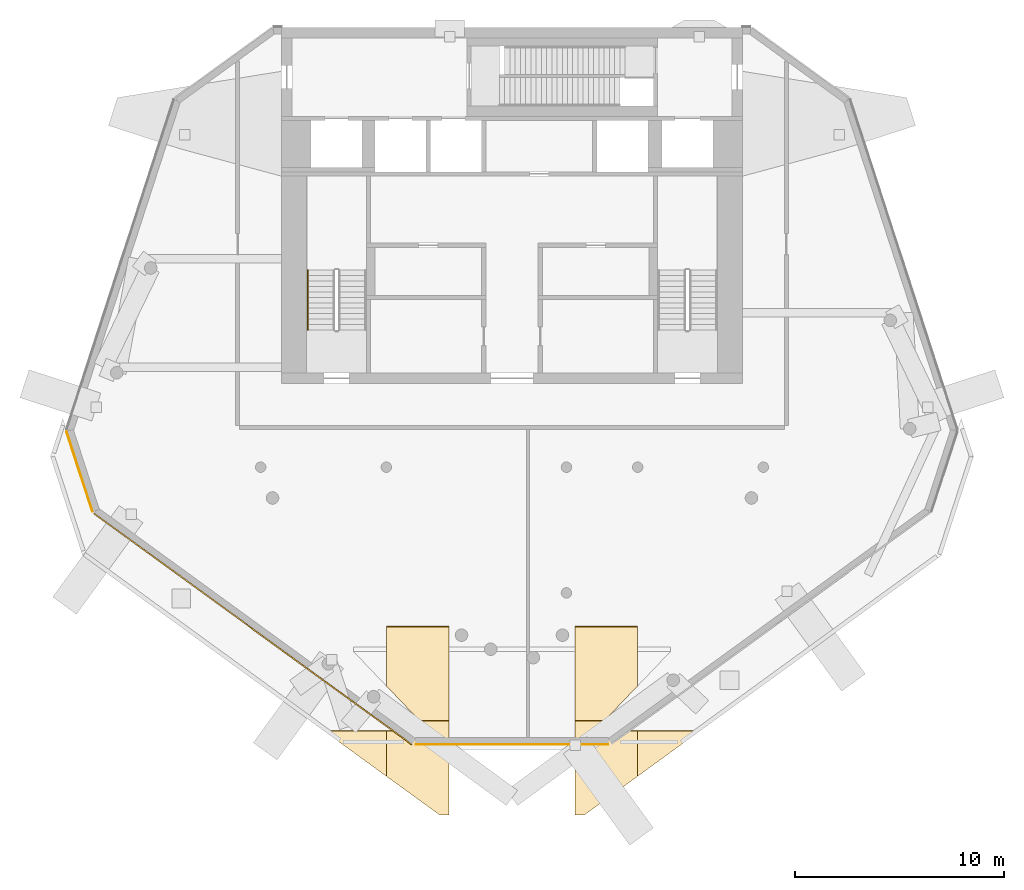
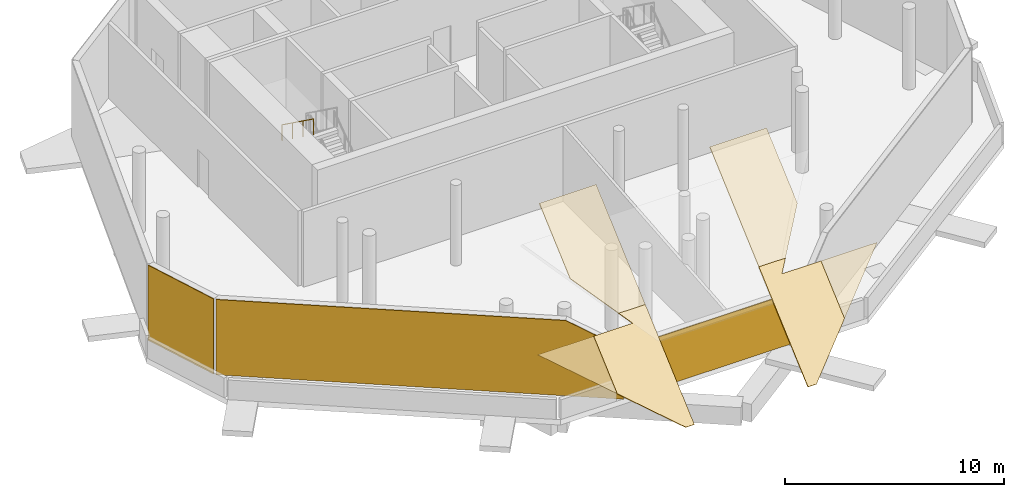
# One storey, part 5 of 8: 9 coverings, 1 railing.
"""IFC4 building model written with IfcOpenShell, lengths in metres."""

from ifc_helpers import new_model, si_unit, direction, frame, origin, origin_2d, place, context, subcontext, project, spatial, polyline, circle, outline, extrude, material, layer, layer_set, type_object, element, save


model = new_model("IFC4")

# Units and contexts
model_context = context("Model", 3, precision=1e-05, world=origin(), true_north=direction((0.0, 1.0)))
body_context = subcontext(model_context, "Body", "Model", "MODEL_VIEW")
ifc_project = project(units=[si_unit("LENGTHUNIT", "METRE"), si_unit("AREAUNIT", "SQUARE_METRE"), si_unit("VOLUMEUNIT", "CUBIC_METRE"), si_unit("PLANEANGLEUNIT", "RADIAN"), si_unit("MASSUNIT", "GRAM", prefix="KILO")], contexts=[model_context])

# Site, building, storey
site_placement = place(None, origin())
site = spatial("IfcSite", under=ifc_project, at=site_placement, CompositionType="ELEMENT")
building_placement = place(site_placement, origin())
building = spatial("IfcBuilding", under=site, at=building_placement, Name="White Candle Pilgrim Tower", CompositionType="ELEMENT")
storey_placement = place(building_placement, frame((0.0, 0.0, 328.699951171875)))
storey = spatial("IfcBuildingStorey", under=building, at=storey_placement, Name="L77", CompositionType="ELEMENT", Elevation=328.699951171875)

# Coverings
ifc_material_1 = material(Name="Zinc standing seam")
ifc_layer_1 = layer(ifc_material_1, 0.050048828125)
ifc_layer_set_1 = layer_set([ifc_layer_1], Name="Roof covering CL2 zinc standing seam 50")
covering_type_1 = type_object("IfcCoveringType", Name="Roof covering CL2 zinc standing seam 50", PredefinedType="ROOFING", material=ifc_layer_set_1)
covering_1_placement = place(storey_placement, frame((64.0, 52.24609375, 1.64208984375), z_axis=(0.0, -0.662894026828, 0.748713235622), x_axis=(-0.717650239078, 0.521406678803, 0.461641862975)))
element("IfcCovering", 1, at=covering_1_placement, inside=storey, type_object=covering_type_1, Name="Roof covering 1", PredefinedType="ROOFING", context=body_context, shape_type="SweptSolid", body=[
    extrude(outline(polyline([(0.0, 0.0), (4.13404289924369, 2.220446049250313e-16), (2.004920412604753, -2.0660883655831848), (0.0, 0.0)])), origin(), (0.0, 0.0, -1.0), 0.050048828125),
])
covering_2_placement = place(storey_placement, frame((67.0, 50.3916015625, 0.0), z_axis=(-2.949764e-05, -0.662920442561, 0.748689846308), x_axis=(-0.999999999565, 1.9554588e-05, -2.2084583e-05)))
element("IfcCovering", 2, at=covering_2_placement, inside=storey, type_object=covering_type_1, Name="Roof covering 2", PredefinedType="ROOFING", context=body_context, shape_type="SweptSolid", body=[
    extrude(outline(polyline([(0.0, 0.0), (0.4475097654303085, 1.5162220628096997e-21), (2.9999999976561904, -2.477014397859975), (3.0000000006524683, -5.355977229325423), (0.9409179702982824, -5.355977229325423), (1.4011230420758953, -5.99986434158091), (-4.189538791056621e-09, -5.99986434158091), (0.0, 0.0)])), origin(), (0.0, 0.0, -1.0), 0.050048828125),
])
covering_3_placement = place(storey_placement, frame((76.0, 52.24609375, 1.64208984375), z_axis=(2.949764e-05, -0.662920442561, 0.748689846308), x_axis=(-0.717637258509, -0.521414438216, -0.461653277708)))
element("IfcCovering", 3, at=covering_3_placement, inside=storey, type_object=covering_type_1, Name="Roof covering 3", PredefinedType="ROOFING", context=body_context, shape_type="SweptSolid", body=[
    extrude(outline(polyline([(0.0, 0.0), (3.556797254949198, 0.0), (3.8779469363084957, -0.3116534490717402), (-0.30046113233501437, -4.617379651382906), (-1.30595923452869, -3.641613615254856), (-0.5272849386202914, -3.5000309104138054), (-2.0049589225724533, -2.066050992535435), (0.0, 0.0)])), origin(), (0.0, 0.0, -1.0), 0.050048828125),
])
covering_4_placement = place(storey_placement, frame((76.0, 54.401611328125, 3.550537109375), z_axis=(0.0, -0.662894026828, 0.748713235622), x_axis=(1.0, 0.0, 0.0)))
element("IfcCovering", 4, at=covering_4_placement, inside=storey, type_object=covering_type_1, Name="Roof covering 4", PredefinedType="ROOFING", context=body_context, shape_type="SweptSolid", body=[
    extrude(outline(polyline([(0.0, 0.0), (2.966796875, 0.0), (0.0, -2.8789628332573876), (0.0, 0.0)])), origin(), (0.0, 0.0, -1.0), 0.050048828125),
])
covering_5_placement = place(storey_placement, frame((67.0, 54.883544921875, 3.9775390625), z_axis=(-2.7532924e-05, -0.662925372538, 0.748685481151), x_axis=(-0.999999999621, 1.8252274e-05, -2.0613501e-05)))
element("IfcCovering", 5, at=covering_5_placement, inside=storey, type_object=covering_type_1, Name="Roof covering 6", PredefinedType="ROOFING", context=body_context, shape_type="SweptSolid", body=[
    extrude(outline(polyline([(0.0, 0.0), (1.401123046343931, 0.0), (1.4182128927219115, -0.0240461120257628), (1.8955078164620534, -0.6918174906504492), (2.372802735169602, -1.3597507162899767), (2.850097658909744, -2.027522094914663), (2.999999999311144, -2.2373053534724923), (3.000000000496302, -6.000047126927434), (1.6333947139182507e-09, -6.000047126927434), (-1.005684419158007e-09, -4.162601479287216), (0.0, 0.0)])), origin(), (0.0, 0.0, -1.0), 0.050048828125),
])
covering_6_placement = place(storey_placement, frame((73.0, 59.375732421875, 7.955078125), z_axis=(2.7532924e-05, -0.662925372538, 0.748685481151), x_axis=(0.999999999621, 1.8252274e-05, -2.0613501e-05)))
element("IfcCovering", 6, at=covering_6_placement, inside=storey, type_object=covering_type_1, Name="Roof covering 9", PredefinedType="ROOFING", context=body_context, shape_type="SweptSolid", body=[
    extrude(outline(polyline([(0.0, 0.0), (2.9999999988629074, 0.0), (2.9999999976777496, -3.762741773454943), (2.8500976572763497, -3.972525032012772), (2.3728027335362074, -4.640296410637458), (1.8955078148286586, -5.308229636276986), (1.4182128910885168, -5.976001014901673), (1.4011230447105363, -6.000047126927434), (-1.6333947139182507e-09, -6.000047126927434), (-2.639079133076258e-09, -1.8374456476402194), (0.0, 0.0)])), origin(), (0.0, 0.0, -1.0), 0.050048828125),
])

# Railing
ifc_material_2 = material(Name="Stainless steel", Category="steel")
railing_type = type_object("IfcRailingType", Name="Stair handrail stainless steel", PredefinedType="HANDRAIL", material=ifc_material_2)
railing_placement = place(storey_placement, frame((60.25, 76.409912109375, 2.4375)))
element("IfcRailing", 7, at=railing_placement, inside=storey, type_object=railing_type, Name="L77 ST1 stair handrail 2", PredefinedType="HANDRAIL", context=body_context, shape_type="SweptSolid", body=[
    extrude(circle(Radius=0.02392578125, at=origin_2d()), frame((0.0, 0.0, 0.8759765625), z_axis=(0.0, -0.811077065594, 0.584939307678), x_axis=(1.0, 0.0, 0.0)), (0.0, 0.0, 1.0), 3.526123046875),
    extrude(circle(Radius=0.02099609375, at=origin_2d()), origin(), (0.0, 0.0, 1.0), 0.851806640625),
    extrude(circle(Radius=0.02099609375, at=origin_2d()), frame((0.0, -0.953369140625, 0.6875)), (0.0, 0.0, 1.0), 0.851806640625),
    extrude(circle(Radius=0.02099609375, at=origin_2d()), frame((0.0, -1.906494140625, 1.375)), (0.0, 0.0, 1.0), 0.851806640625),
    extrude(circle(Radius=0.02099609375, at=origin_2d()), frame((0.0, -2.85986328125, 2.0625)), (0.0, 0.0, 1.0), 0.851806640625),
])

# Coverings
ifc_layer_2 = layer(ifc_material_1, 0.0400390625)
ifc_layer_set_2 = layer_set([ifc_layer_2], Name="Zinc wall cladding CL3 40")
covering_type_2 = type_object("IfcCoveringType", Name="Zinc wall cladding CL3 40", PredefinedType="CLADDING", material=ifc_layer_set_2)
covering_7_placement = place(storey_placement, frame((48.75244140625, 68.705078125, 4.199951171875), z_axis=(0.951060843481, 0.309003676349, 0.0), x_axis=(0.309003676349, -0.951060843481, 0.0)))
element("IfcCovering", 8, at=covering_7_placement, inside=storey, type_object=covering_type_2, Name="Zinc wall cladding L77 W chamfer", PredefinedType="CLADDING", context=body_context, shape_type="SweptSolid", body=[
    extrude(outline(polyline([(0.0, 0.0), (4.019976443890689, 0.0), (4.019976443890689, 4.199951171875), (0.0, 4.199951171875), (0.0, 0.0)])), origin(), (0.0, 0.0, -1.0), 0.0400390625),
])
covering_8_placement = place(storey_placement, frame((50.052734375, 64.802001953125, 4.199951171875), z_axis=(0.587783371476, 0.809018360646, 1.8818368e-05), x_axis=(0.809018360789, -0.58778337158, 1.54e-10)))
element("IfcCovering", 9, at=covering_8_placement, inside=storey, type_object=covering_type_2, Name="Zinc wall cladding L77 SW", PredefinedType="CLADDING", context=body_context, shape_type="SweptSolid", body=[
    extrude(outline(polyline([(0.0, 0.0), (16.090378420546166, 0.0), (18.75221113654475, 1.3852539093903304), (18.75221113611021, 4.199951174516944), (-6.484071655905857e-10, 4.1999511711313335), (0.0, 0.0)])), origin(), (0.0, 0.0, -1.0), 0.0400390625),
])
covering_9_placement = place(storey_placement, frame((65.394775390625, 53.779541015625, 2.841796875), z_axis=(0.0, 1.0, 0.0), x_axis=(1.0, 0.0, 0.0)))
element("IfcCovering", 10, at=covering_9_placement, inside=storey, type_object=covering_type_2, Name="Zinc wall cladding L77 S", PredefinedType="CLADDING", context=body_context, shape_type="SweptSolid", body=[
    extrude(outline(polyline([(0.0, 0.0), (9.21044921875, 0.0), (9.21044921875, 2.841796875), (0.0, 2.841796875), (0.0, 0.0)])), origin(), (0.0, 0.0, -1.0), 0.0400390625),
])

save(model, "model.ifc")
